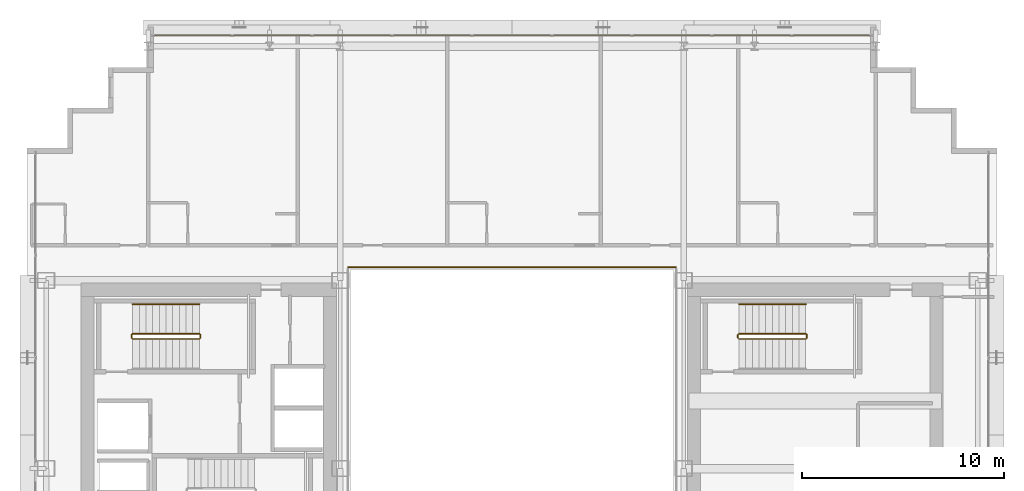
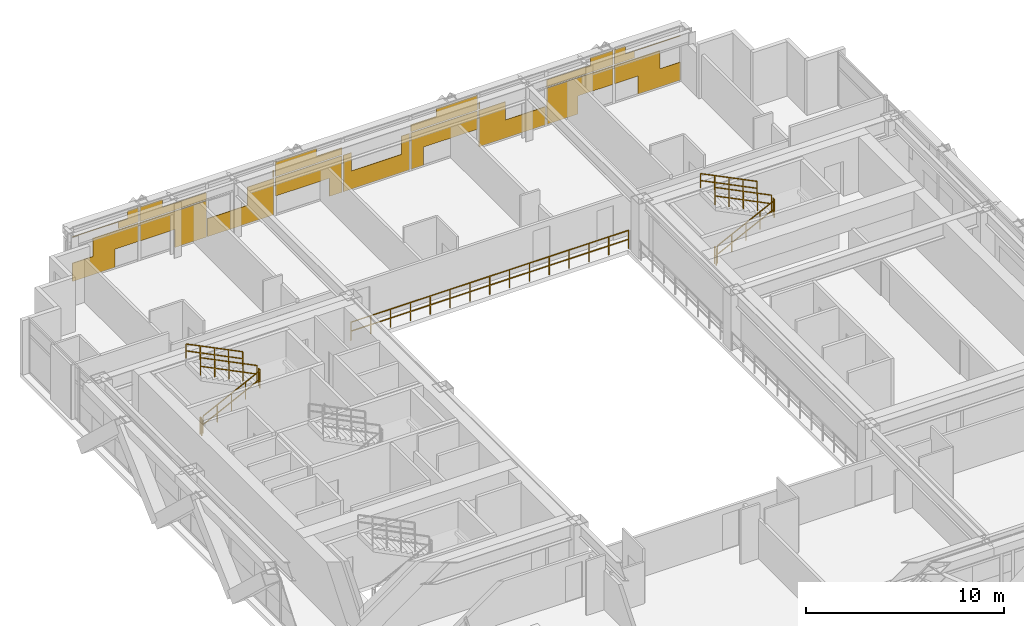
# One storey, part 34 of 34: 11 railings, 1 covering.
"""IFC4 building model written with IfcOpenShell, lengths in metres."""

from ifc_helpers import new_model, si_unit, direction, frame, origin, origin_2d, place, context, subcontext, project, spatial, rectangle, extrude, material, layer, layer_set, type_object, element, save


model = new_model("IFC4")

# Units and contexts
model_context = context("Model", 3, precision=1e-05, world=origin(), true_north=direction((0.0, 1.0)))
body_context = subcontext(model_context, "Body", "Model", "MODEL_VIEW")
ifc_project = project(units=[si_unit("LENGTHUNIT", "METRE"), si_unit("AREAUNIT", "SQUARE_METRE"), si_unit("VOLUMEUNIT", "CUBIC_METRE"), si_unit("PLANEANGLEUNIT", "RADIAN"), si_unit("MASSUNIT", "GRAM", prefix="KILO")], contexts=[model_context])

# Site, building, storey
site_placement = place(None, origin())
site = spatial("IfcSite", under=ifc_project, at=site_placement, CompositionType="ELEMENT")
building_placement = place(site_placement, origin())
building = spatial("IfcBuilding", under=site, at=building_placement, Name="Ocotamira Hotel", CompositionType="ELEMENT")
storey_placement = place(building_placement, frame((0.0, 0.0, 111.60009765625)))
storey = spatial("IfcBuildingStorey", under=building, at=storey_placement, Name="L27", CompositionType="ELEMENT", Elevation=111.60009765625)

# Covering
ifc_material_1 = material(Name="Insulated pale-metal aluminium spandrel panel", Category="aluminium")
ifc_layer = layer(ifc_material_1, 0.044921875)
ifc_layer_set = layer_set([ifc_layer], Name="Insulated pale-metal aluminium spandrel panel")
covering_type = type_object("IfcCoveringType", Name="COV-INFILL-45", PredefinedType="CLADDING", material=ifc_layer_set)
covering_placement = place(storey_placement, origin())
element("IfcCovering", 1, at=covering_placement, inside=storey, type_object=covering_type, Name="L27 Curtain Wall Infill CW-3 CW-L27-N", PredefinedType="CLADDING", context=body_context, shape_type="SweptSolid", body=[
    extrude(rectangle(XDim=2.464111328125, YDim=0.044921875, at=origin_2d()), frame((15.512451171875, 49.580078125, 0.0751953125), z_axis=(0.0, 0.0, 1.0), x_axis=(1.0, 0.0, 0.0)), (0.0, 0.0, 1.0), 1.117919921875),
    extrude(rectangle(XDim=2.650146484375, YDim=0.044921875, at=origin_2d()), frame((16.7900390625, 49.580078125, 1.194091796875), z_axis=(0.0, 0.0, 1.0), x_axis=(1.0, 0.0, 0.0)), (0.0, 0.0, 1.0), 1.11767578125),
    extrude(rectangle(XDim=3.834716796875, YDim=0.044921875, at=origin_2d()), frame((16.19775390625, 49.580078125, 2.782470703125), z_axis=(0.0, 0.0, 1.0), x_axis=(1.0, 0.0, 0.0)), (0.0, 0.0, 1.0), 0.0302734375),
    extrude(rectangle(XDim=1.157958984375, YDim=0.044921875, at=origin_2d()), frame((17.5361328125, 49.580078125, 2.387939453125), z_axis=(0.0, 0.0, 1.0), x_axis=(1.0, 0.0, 0.0)), (0.0, 0.0, 1.0), 0.3935546875),
    extrude(rectangle(XDim=0.625732421875, YDim=0.044921875, at=origin_2d()), frame((17.80224609375, 49.580078125, 2.813720703125), z_axis=(0.0, 0.0, 1.0), x_axis=(1.0, 0.0, 0.0)), (0.0, 0.0, 1.0), 0.470703125),
    extrude(rectangle(XDim=3.87451171875, YDim=0.044921875, at=origin_2d()), frame((20.13330078125, 49.580078125, 1.194091796875), z_axis=(0.0, 0.0, 1.0), x_axis=(1.0, 0.0, 0.0)), (0.0, 0.0, 1.0), 1.11767578125),
    extrude(rectangle(XDim=1.815185546875, YDim=0.044921875, at=origin_2d()), frame((21.1630859375, 49.580078125, 0.0751953125), z_axis=(0.0, 0.0, 1.0), x_axis=(1.0, 0.0, 0.0)), (0.0, 0.0, 1.0), 1.117919921875),
    extrude(rectangle(XDim=3.87451171875, YDim=0.044921875, at=origin_2d()), frame((20.13330078125, 49.580078125, 2.387939453125), z_axis=(0.0, 0.0, 1.0), x_axis=(1.0, 0.0, 0.0)), (0.0, 0.0, 1.0), 0.4248046875),
    extrude(rectangle(XDim=1.314697265625, YDim=0.044921875, at=origin_2d()), frame((18.853515625, 49.580078125, 2.813720703125), z_axis=(0.0, 0.0, 1.0), x_axis=(1.0, 0.0, 0.0)), (0.0, 0.0, 1.0), 0.470703125),
    extrude(rectangle(XDim=3.87451171875, YDim=0.044921875, at=origin_2d()), frame((24.0888671875, 49.580078125, 0.0751953125), z_axis=(0.0, 0.0, 1.0), x_axis=(1.0, 0.0, 0.0)), (0.0, 0.0, 1.0), 1.117919921875),
    extrude(rectangle(XDim=1.561279296875, YDim=0.044921875, at=origin_2d()), frame((25.24560546875, 49.580078125, 1.194091796875), z_axis=(0.0, 0.0, 1.0), x_axis=(1.0, 0.0, 0.0)), (0.0, 0.0, 1.0), 1.11767578125),
    extrude(rectangle(XDim=0.069091796875, YDim=0.044921875, at=origin_2d()), frame((25.99169921875, 49.580078125, 2.387939453125), z_axis=(0.0, 0.0, 1.0), x_axis=(1.0, 0.0, 0.0)), (0.0, 0.0, 1.0), 0.4248046875),
    extrude(rectangle(XDim=3.87451171875, YDim=0.044921875, at=origin_2d()), frame((28.04443359375, 49.580078125, 1.194091796875), z_axis=(0.0, 0.0, 1.0), x_axis=(1.0, 0.0, 0.0)), (0.0, 0.0, 1.0), 1.11767578125),
    extrude(rectangle(XDim=0.726318359375, YDim=0.044921875, at=origin_2d()), frame((29.61865234375, 49.580078125, 0.0751953125), z_axis=(0.0, 0.0, 1.0), x_axis=(1.0, 0.0, 0.0)), (0.0, 0.0, 1.0), 1.117919921875),
    extrude(rectangle(XDim=3.87451171875, YDim=0.044921875, at=origin_2d()), frame((28.04443359375, 49.580078125, 2.387939453125), z_axis=(0.0, 0.0, 1.0), x_axis=(1.0, 0.0, 0.0)), (0.0, 0.0, 1.0), 0.4248046875),
    extrude(rectangle(XDim=2.403564453125, YDim=0.044921875, at=origin_2d()), frame((27.308837890625, 49.580078125, 2.813720703125), z_axis=(0.0, 0.0, 1.0), x_axis=(1.0, 0.0, 0.0)), (0.0, 0.0, 1.0), 0.470703125),
    extrude(rectangle(XDim=3.87451171875, YDim=0.044921875, at=origin_2d()), frame((32.0, 49.580078125, 0.0751953125), z_axis=(0.0, 0.0, 1.0), x_axis=(1.0, 0.0, 0.0)), (0.0, 0.0, 1.0), 1.117919921875),
    extrude(rectangle(XDim=0.472412109375, YDim=0.044921875, at=origin_2d()), frame((30.298828125, 49.580078125, 1.194091796875), z_axis=(0.0, 0.0, 1.0), x_axis=(1.0, 0.0, 0.0)), (0.0, 0.0, 1.0), 1.11767578125),
    extrude(rectangle(XDim=0.472412109375, YDim=0.044921875, at=origin_2d()), frame((33.701171875, 49.580078125, 1.194091796875), z_axis=(0.0, 0.0, 1.0), x_axis=(1.0, 0.0, 0.0)), (0.0, 0.0, 1.0), 1.11767578125),
    extrude(rectangle(XDim=0.726318359375, YDim=0.044921875, at=origin_2d()), frame((34.38134765625, 49.580078125, 0.0751953125), z_axis=(0.0, 0.0, 1.0), x_axis=(1.0, 0.0, 0.0)), (0.0, 0.0, 1.0), 1.117919921875),
    extrude(rectangle(XDim=3.87451171875, YDim=0.044921875, at=origin_2d()), frame((35.95556640625, 49.580078125, 1.194091796875), z_axis=(0.0, 0.0, 1.0), x_axis=(1.0, 0.0, 0.0)), (0.0, 0.0, 1.0), 1.11767578125),
    extrude(rectangle(XDim=3.87451171875, YDim=0.044921875, at=origin_2d()), frame((35.95556640625, 49.580078125, 2.387939453125), z_axis=(0.0, 0.0, 1.0), x_axis=(1.0, 0.0, 0.0)), (0.0, 0.0, 1.0), 0.4248046875),
    extrude(rectangle(XDim=2.403564453125, YDim=0.044921875, at=origin_2d()), frame((36.691162109375, 49.580078125, 2.813720703125), z_axis=(0.0, 0.0, 1.0), x_axis=(1.0, 0.0, 0.0)), (0.0, 0.0, 1.0), 0.470703125),
    extrude(rectangle(XDim=3.87451171875, YDim=0.044921875, at=origin_2d()), frame((39.9111328125, 49.580078125, 0.0751953125), z_axis=(0.0, 0.0, 1.0), x_axis=(1.0, 0.0, 0.0)), (0.0, 0.0, 1.0), 1.117919921875),
    extrude(rectangle(XDim=1.561279296875, YDim=0.044921875, at=origin_2d()), frame((38.75439453125, 49.580078125, 1.194091796875), z_axis=(0.0, 0.0, 1.0), x_axis=(1.0, 0.0, 0.0)), (0.0, 0.0, 1.0), 1.11767578125),
    extrude(rectangle(XDim=0.069091796875, YDim=0.044921875, at=origin_2d()), frame((38.00830078125, 49.580078125, 2.387939453125), z_axis=(0.0, 0.0, 1.0), x_axis=(1.0, 0.0, 0.0)), (0.0, 0.0, 1.0), 0.4248046875),
    extrude(rectangle(XDim=1.815185546875, YDim=0.044921875, at=origin_2d()), frame((42.8369140625, 49.580078125, 0.0751953125), z_axis=(0.0, 0.0, 1.0), x_axis=(1.0, 0.0, 0.0)), (0.0, 0.0, 1.0), 1.117919921875),
    extrude(rectangle(XDim=3.87451171875, YDim=0.044921875, at=origin_2d()), frame((43.86669921875, 49.580078125, 1.194091796875), z_axis=(0.0, 0.0, 1.0), x_axis=(1.0, 0.0, 0.0)), (0.0, 0.0, 1.0), 1.11767578125),
    extrude(rectangle(XDim=3.87451171875, YDim=0.044921875, at=origin_2d()), frame((43.86669921875, 49.580078125, 2.387939453125), z_axis=(0.0, 0.0, 1.0), x_axis=(1.0, 0.0, 0.0)), (0.0, 0.0, 1.0), 0.4248046875),
    extrude(rectangle(XDim=1.314697265625, YDim=0.044921875, at=origin_2d()), frame((45.146484375, 49.580078125, 2.813720703125), z_axis=(0.0, 0.0, 1.0), x_axis=(1.0, 0.0, 0.0)), (0.0, 0.0, 1.0), 0.470703125),
    extrude(rectangle(XDim=2.650146484375, YDim=0.044921875, at=origin_2d()), frame((47.2099609375, 49.580078125, 1.194091796875), z_axis=(0.0, 0.0, 1.0), x_axis=(1.0, 0.0, 0.0)), (0.0, 0.0, 1.0), 1.11767578125),
    extrude(rectangle(XDim=2.464111328125, YDim=0.044921875, at=origin_2d()), frame((48.487548828125, 49.580078125, 0.0751953125), z_axis=(0.0, 0.0, 1.0), x_axis=(1.0, 0.0, 0.0)), (0.0, 0.0, 1.0), 1.117919921875),
    extrude(rectangle(XDim=1.157958984375, YDim=0.044921875, at=origin_2d()), frame((46.4638671875, 49.580078125, 2.387939453125), z_axis=(0.0, 0.0, 1.0), x_axis=(1.0, 0.0, 0.0)), (0.0, 0.0, 1.0), 0.3935546875),
    extrude(rectangle(XDim=3.834716796875, YDim=0.044921875, at=origin_2d()), frame((47.80224609375, 49.580078125, 2.782470703125), z_axis=(0.0, 0.0, 1.0), x_axis=(1.0, 0.0, 0.0)), (0.0, 0.0, 1.0), 0.0302734375),
    extrude(rectangle(XDim=0.625732421875, YDim=0.044921875, at=origin_2d()), frame((46.19775390625, 49.580078125, 2.813720703125), z_axis=(0.0, 0.0, 1.0), x_axis=(1.0, 0.0, 0.0)), (0.0, 0.0, 1.0), 0.470703125),
])

# Railings
ifc_material_2 = material(Name="Painted steel stair guardrail", Category="steel")
railing_type_1 = type_object("IfcRailingType", Name="RL-EDGE-1150", PredefinedType="GUARDRAIL", material=ifc_material_2)
railing_1_placement = place(storey_placement, frame((40.10009765625, 38.1201171875, 0.0)))
element("IfcRailing", 2, at=railing_1_placement, inside=storey, type_object=railing_type_1, Name="L27 Central Atrium Edge Guardrail N", PredefinedType="GUARDRAIL", context=body_context, shape_type="SweptSolid", body=[
    extrude(rectangle(XDim=0.048095703125, YDim=0.048095703125, at=origin_2d()), frame((0.0, 0.0, 1.1259765625), z_axis=(-1.0, 0.0, 0.0), x_axis=(0.0, -1.0, 0.0)), (0.0, 0.0, 1.0), 16.2001953125),
    extrude(rectangle(XDim=0.048095703125, YDim=0.048095703125, at=origin_2d()), frame((0.0, 0.0, 0.574951171875), z_axis=(-1.0, 0.0, 0.0), x_axis=(0.0, -1.0, 0.0)), (0.0, 0.0, 1.0), 16.2001953125),
    extrude(rectangle(XDim=0.0419921875, YDim=0.0419921875, at=origin_2d()), origin(), (0.0, 0.0, 1.0), 1.101806640625),
    extrude(rectangle(XDim=0.0419921875, YDim=0.0419921875, at=origin_2d()), frame((-1.1572265625, 0.0, 0.0)), (0.0, 0.0, 1.0), 1.101806640625),
    extrude(rectangle(XDim=0.0419921875, YDim=0.0419921875, at=origin_2d()), frame((-2.314208984375, 0.0, 0.0)), (0.0, 0.0, 1.0), 1.101806640625),
    extrude(rectangle(XDim=0.0419921875, YDim=0.0419921875, at=origin_2d()), frame((-3.471435546875, 0.0, 0.0)), (0.0, 0.0, 1.0), 1.101806640625),
    extrude(rectangle(XDim=0.0419921875, YDim=0.0419921875, at=origin_2d()), frame((-4.628662109375, 0.0, 0.0)), (0.0, 0.0, 1.0), 1.101806640625),
    extrude(rectangle(XDim=0.0419921875, YDim=0.0419921875, at=origin_2d()), frame((-5.785888671875, 0.0, 0.0)), (0.0, 0.0, 1.0), 1.101806640625),
    extrude(rectangle(XDim=0.0419921875, YDim=0.0419921875, at=origin_2d()), frame((-6.94287109375, 0.0, 0.0)), (0.0, 0.0, 1.0), 1.101806640625),
    extrude(rectangle(XDim=0.0419921875, YDim=0.0419921875, at=origin_2d()), frame((-8.10009765625, 0.0, 0.0)), (0.0, 0.0, 1.0), 1.101806640625),
    extrude(rectangle(XDim=0.0419921875, YDim=0.0419921875, at=origin_2d()), frame((-9.25732421875, 0.0, 0.0)), (0.0, 0.0, 1.0), 1.101806640625),
    extrude(rectangle(XDim=0.0419921875, YDim=0.0419921875, at=origin_2d()), frame((-10.414306640625, 0.0, 0.0)), (0.0, 0.0, 1.0), 1.101806640625),
    extrude(rectangle(XDim=0.0419921875, YDim=0.0419921875, at=origin_2d()), frame((-11.571533203125, 0.0, 0.0)), (0.0, 0.0, 1.0), 1.101806640625),
    extrude(rectangle(XDim=0.0419921875, YDim=0.0419921875, at=origin_2d()), frame((-12.728759765625, 0.0, 0.0)), (0.0, 0.0, 1.0), 1.101806640625),
    extrude(rectangle(XDim=0.0419921875, YDim=0.0419921875, at=origin_2d()), frame((-13.885986328125, 0.0, 0.0)), (0.0, 0.0, 1.0), 1.101806640625),
    extrude(rectangle(XDim=0.0419921875, YDim=0.0419921875, at=origin_2d()), frame((-15.04296875, 0.0, 0.0)), (0.0, 0.0, 1.0), 1.101806640625),
    extrude(rectangle(XDim=0.0419921875, YDim=0.0419921875, at=origin_2d()), frame((-16.2001953125, 0.0, 0.0)), (0.0, 0.0, 1.0), 1.101806640625),
])
ifc_material_3 = material(Name="Brushed stainless steel handrail", Category="steel")
railing_type_2 = type_object("IfcRailingType", Name="RL-HAND-900", PredefinedType="HANDRAIL", material=ifc_material_3)
for number, where, name in (
    (3, (16.530029296875, 36.280029296875, 2.127197265625), "L27 ST-2 stair handrail 2"),
    (4, (46.530029296875, 36.280029296875, 2.127197265625), "L27 ST-4 stair handrail 2"),
):
    element("IfcRailing", number, at=place(storey_placement, frame(where)), inside=storey, type_object=railing_type_2, Name=name, PredefinedType="HANDRAIL", context=body_context, shape_type="SweptSolid", body=[
        extrude(rectangle(XDim=0.048095703125, YDim=0.048095703125, at=origin_2d()), frame((0.0, 0.0, 0.8759765625), z_axis=(-0.895920123917, 0.0, 0.444215186098), x_axis=(0.0, -1.0, 0.0)), (0.0, 0.0, 1.0), 3.683349609375),
        extrude(rectangle(XDim=0.048095703125, YDim=0.048095703125, at=origin_2d()), frame((0.0, 0.0, 0.449951171875), z_axis=(-0.895920123917, 0.0, 0.444215186098), x_axis=(0.0, -1.0, 0.0)), (0.0, 0.0, 1.0), 3.683349609375),
        extrude(rectangle(XDim=0.0419921875, YDim=0.0419921875, at=origin_2d()), origin(), (0.0, 0.0, 1.0), 0.851806640625),
        extrude(rectangle(XDim=0.0419921875, YDim=0.0419921875, at=origin_2d()), frame((-0.824951171875, 0.0, 0.4091796875)), (0.0, 0.0, 1.0), 0.851806640625),
        extrude(rectangle(XDim=0.0419921875, YDim=0.0419921875, at=origin_2d()), frame((-1.64990234375, 0.0, 0.818115234375)), (0.0, 0.0, 1.0), 0.851806640625),
        extrude(rectangle(XDim=0.0419921875, YDim=0.0419921875, at=origin_2d()), frame((-2.47509765625, 0.0, 1.22705078125)), (0.0, 0.0, 1.0), 0.851806640625),
        extrude(rectangle(XDim=0.0419921875, YDim=0.0419921875, at=origin_2d()), frame((-3.300048828125, 0.0, 1.63623046875)), (0.0, 0.0, 1.0), 0.851806640625),
    ])
railing_type_3 = type_object("IfcRailingType", Name="RL-STAIR-1100", PredefinedType="GUARDRAIL", material=ifc_material_2)
railing_2_placement = place(storey_placement, frame((13.22998046875, 34.56005859375, 0.16357421875)))
element("IfcRailing", 5, at=railing_2_placement, inside=storey, type_object=railing_type_3, Name="L27 ST-2 stair guard 1", PredefinedType="GUARDRAIL", context=body_context, shape_type="SweptSolid", body=[
    extrude(rectangle(XDim=0.048095703125, YDim=0.048095703125, at=origin_2d()), frame((0.0, 0.0, 1.076171875), z_axis=(0.895920123917, 0.0, 0.444215186098), x_axis=(0.0, 1.0, 0.0)), (0.0, 0.0, 1.0), 3.683349609375),
    extrude(rectangle(XDim=0.048095703125, YDim=0.048095703125, at=origin_2d()), frame((0.0, 0.0, 0.550048828125), z_axis=(0.895920123917, 0.0, 0.444215186098), x_axis=(0.0, 1.0, 0.0)), (0.0, 0.0, 1.0), 3.683349609375),
    extrude(rectangle(XDim=0.0419921875, YDim=0.0419921875, at=origin_2d()), origin(), (0.0, 0.0, 1.0), 1.052001953125),
    extrude(rectangle(XDim=0.0419921875, YDim=0.0419921875, at=origin_2d()), frame((0.824951171875, 0.0, 0.4091796875)), (0.0, 0.0, 1.0), 1.052001953125),
    extrude(rectangle(XDim=0.0419921875, YDim=0.0419921875, at=origin_2d()), frame((1.64990234375, 0.0, 0.818115234375)), (0.0, 0.0, 1.0), 1.052001953125),
    extrude(rectangle(XDim=0.0419921875, YDim=0.0419921875, at=origin_2d()), frame((2.47509765625, 0.0, 1.22705078125)), (0.0, 0.0, 1.0), 1.052001953125),
    extrude(rectangle(XDim=0.0419921875, YDim=0.0419921875, at=origin_2d()), frame((3.300048828125, 0.0, 1.63623046875)), (0.0, 0.0, 1.0), 1.052001953125),
])
railing_3_placement = place(storey_placement, frame((16.580078125, 34.610107421875, 1.7998046875)))
element("IfcRailing", 6, at=railing_3_placement, inside=storey, type_object=railing_type_3, Name="L27 ST-2 stair guard 2", PredefinedType="GUARDRAIL", context=body_context, shape_type="SweptSolid", body=[
    extrude(rectangle(XDim=0.048095703125, YDim=0.048095703125, at=origin_2d()), frame((0.0, 0.0, 1.076171875), z_axis=(0.0, 1.0, 0.0), x_axis=(-1.0, 0.0, 0.0)), (0.0, 0.0, 1.0), 0.159912109375),
    extrude(rectangle(XDim=0.048095703125, YDim=0.048095703125, at=origin_2d()), frame((0.0, 0.0, 0.550048828125), z_axis=(0.0, 1.0, 0.0), x_axis=(-1.0, 0.0, 0.0)), (0.0, 0.0, 1.0), 0.159912109375),
    extrude(rectangle(XDim=0.0419921875, YDim=0.0419921875, at=origin_2d()), origin(), (0.0, 0.0, 1.0), 1.052001953125),
    extrude(rectangle(XDim=0.0419921875, YDim=0.0419921875, at=origin_2d()), frame((0.0, 0.159912109375, 0.0)), (0.0, 0.0, 1.0), 1.052001953125),
])
railing_4_placement = place(storey_placement, frame((16.530029296875, 34.820068359375, 1.963623046875)))
element("IfcRailing", 7, at=railing_4_placement, inside=storey, type_object=railing_type_3, Name="L27 ST-2 stair guard 3", PredefinedType="GUARDRAIL", context=body_context, shape_type="SweptSolid", body=[
    extrude(rectangle(XDim=0.048095703125, YDim=0.048095703125, at=origin_2d()), frame((0.0, 0.0, 1.076171875), z_axis=(-0.895920123917, 0.0, 0.444215186098), x_axis=(0.0, -1.0, 0.0)), (0.0, 0.0, 1.0), 3.683349609375),
    extrude(rectangle(XDim=0.048095703125, YDim=0.048095703125, at=origin_2d()), frame((0.0, 0.0, 0.550048828125), z_axis=(-0.895920123917, 0.0, 0.444215186098), x_axis=(0.0, -1.0, 0.0)), (0.0, 0.0, 1.0), 3.683349609375),
    extrude(rectangle(XDim=0.0419921875, YDim=0.0419921875, at=origin_2d()), origin(), (0.0, 0.0, 1.0), 1.052001953125),
    extrude(rectangle(XDim=0.0419921875, YDim=0.0419921875, at=origin_2d()), frame((-0.824951171875, 0.0, 0.4091796875)), (0.0, 0.0, 1.0), 1.052001953125),
    extrude(rectangle(XDim=0.0419921875, YDim=0.0419921875, at=origin_2d()), frame((-1.64990234375, 0.0, 0.818115234375)), (0.0, 0.0, 1.0), 1.052001953125),
    extrude(rectangle(XDim=0.0419921875, YDim=0.0419921875, at=origin_2d()), frame((-2.47509765625, 0.0, 1.22705078125)), (0.0, 0.0, 1.0), 1.052001953125),
    extrude(rectangle(XDim=0.0419921875, YDim=0.0419921875, at=origin_2d()), frame((-3.300048828125, 0.0, 1.63623046875)), (0.0, 0.0, 1.0), 1.052001953125),
])
railing_5_placement = place(storey_placement, frame((13.179931640625, 34.610107421875, 0.0)))
element("IfcRailing", 8, at=railing_5_placement, inside=storey, type_object=railing_type_3, Name="L27 ST-2 stair guard 4", PredefinedType="GUARDRAIL", context=body_context, shape_type="SweptSolid", body=[
    extrude(rectangle(XDim=0.048095703125, YDim=0.048095703125, at=origin_2d()), frame((0.0, 0.0, 1.076171875), z_axis=(0.0, 1.0, 0.0), x_axis=(-1.0, 0.0, 0.0)), (0.0, 0.0, 1.0), 0.159912109375),
    extrude(rectangle(XDim=0.048095703125, YDim=0.048095703125, at=origin_2d()), frame((0.0, 0.0, 0.550048828125), z_axis=(0.0, 1.0, 0.0), x_axis=(-1.0, 0.0, 0.0)), (0.0, 0.0, 1.0), 0.159912109375),
    extrude(rectangle(XDim=0.0419921875, YDim=0.0419921875, at=origin_2d()), origin(), (0.0, 0.0, 1.0), 1.052001953125),
    extrude(rectangle(XDim=0.0419921875, YDim=0.0419921875, at=origin_2d()), frame((0.0, 0.159912109375, 0.0)), (0.0, 0.0, 1.0), 1.052001953125),
])
railing_6_placement = place(storey_placement, frame((43.22998046875, 34.56005859375, 0.16357421875)))
element("IfcRailing", 9, at=railing_6_placement, inside=storey, type_object=railing_type_3, Name="L27 ST-4 stair guard 1", PredefinedType="GUARDRAIL", context=body_context, shape_type="SweptSolid", body=[
    extrude(rectangle(XDim=0.048095703125, YDim=0.048095703125, at=origin_2d()), frame((0.0, 0.0, 1.076171875), z_axis=(0.895920123917, 0.0, 0.444215186098), x_axis=(0.0, 1.0, 0.0)), (0.0, 0.0, 1.0), 3.683349609375),
    extrude(rectangle(XDim=0.048095703125, YDim=0.048095703125, at=origin_2d()), frame((0.0, 0.0, 0.550048828125), z_axis=(0.895920123917, 0.0, 0.444215186098), x_axis=(0.0, 1.0, 0.0)), (0.0, 0.0, 1.0), 3.683349609375),
    extrude(rectangle(XDim=0.0419921875, YDim=0.0419921875, at=origin_2d()), origin(), (0.0, 0.0, 1.0), 1.052001953125),
    extrude(rectangle(XDim=0.0419921875, YDim=0.0419921875, at=origin_2d()), frame((0.824951171875, 0.0, 0.4091796875)), (0.0, 0.0, 1.0), 1.052001953125),
    extrude(rectangle(XDim=0.0419921875, YDim=0.0419921875, at=origin_2d()), frame((1.64990234375, 0.0, 0.818115234375)), (0.0, 0.0, 1.0), 1.052001953125),
    extrude(rectangle(XDim=0.0419921875, YDim=0.0419921875, at=origin_2d()), frame((2.47509765625, 0.0, 1.22705078125)), (0.0, 0.0, 1.0), 1.052001953125),
    extrude(rectangle(XDim=0.0419921875, YDim=0.0419921875, at=origin_2d()), frame((3.300048828125, 0.0, 1.63623046875)), (0.0, 0.0, 1.0), 1.052001953125),
])
railing_7_placement = place(storey_placement, frame((46.580078125, 34.610107421875, 1.7998046875)))
element("IfcRailing", 10, at=railing_7_placement, inside=storey, type_object=railing_type_3, Name="L27 ST-4 stair guard 2", PredefinedType="GUARDRAIL", context=body_context, shape_type="SweptSolid", body=[
    extrude(rectangle(XDim=0.048095703125, YDim=0.048095703125, at=origin_2d()), frame((0.0, 0.0, 1.076171875), z_axis=(0.0, 1.0, 0.0), x_axis=(-1.0, 0.0, 0.0)), (0.0, 0.0, 1.0), 0.159912109375),
    extrude(rectangle(XDim=0.048095703125, YDim=0.048095703125, at=origin_2d()), frame((0.0, 0.0, 0.550048828125), z_axis=(0.0, 1.0, 0.0), x_axis=(-1.0, 0.0, 0.0)), (0.0, 0.0, 1.0), 0.159912109375),
    extrude(rectangle(XDim=0.0419921875, YDim=0.0419921875, at=origin_2d()), origin(), (0.0, 0.0, 1.0), 1.052001953125),
    extrude(rectangle(XDim=0.0419921875, YDim=0.0419921875, at=origin_2d()), frame((0.0, 0.159912109375, 0.0)), (0.0, 0.0, 1.0), 1.052001953125),
])
railing_8_placement = place(storey_placement, frame((46.530029296875, 34.820068359375, 1.963623046875)))
element("IfcRailing", 11, at=railing_8_placement, inside=storey, type_object=railing_type_3, Name="L27 ST-4 stair guard 3", PredefinedType="GUARDRAIL", context=body_context, shape_type="SweptSolid", body=[
    extrude(rectangle(XDim=0.048095703125, YDim=0.048095703125, at=origin_2d()), frame((0.0, 0.0, 1.076171875), z_axis=(-0.895920123917, 0.0, 0.444215186098), x_axis=(0.0, -1.0, 0.0)), (0.0, 0.0, 1.0), 3.683349609375),
    extrude(rectangle(XDim=0.048095703125, YDim=0.048095703125, at=origin_2d()), frame((0.0, 0.0, 0.550048828125), z_axis=(-0.895920123917, 0.0, 0.444215186098), x_axis=(0.0, -1.0, 0.0)), (0.0, 0.0, 1.0), 3.683349609375),
    extrude(rectangle(XDim=0.0419921875, YDim=0.0419921875, at=origin_2d()), origin(), (0.0, 0.0, 1.0), 1.052001953125),
    extrude(rectangle(XDim=0.0419921875, YDim=0.0419921875, at=origin_2d()), frame((-0.824951171875, 0.0, 0.4091796875)), (0.0, 0.0, 1.0), 1.052001953125),
    extrude(rectangle(XDim=0.0419921875, YDim=0.0419921875, at=origin_2d()), frame((-1.64990234375, 0.0, 0.818115234375)), (0.0, 0.0, 1.0), 1.052001953125),
    extrude(rectangle(XDim=0.0419921875, YDim=0.0419921875, at=origin_2d()), frame((-2.47509765625, 0.0, 1.22705078125)), (0.0, 0.0, 1.0), 1.052001953125),
    extrude(rectangle(XDim=0.0419921875, YDim=0.0419921875, at=origin_2d()), frame((-3.300048828125, 0.0, 1.63623046875)), (0.0, 0.0, 1.0), 1.052001953125),
])
railing_9_placement = place(storey_placement, frame((43.179931640625, 34.610107421875, 0.0)))
element("IfcRailing", 12, at=railing_9_placement, inside=storey, type_object=railing_type_3, Name="L27 ST-4 stair guard 4", PredefinedType="GUARDRAIL", context=body_context, shape_type="SweptSolid", body=[
    extrude(rectangle(XDim=0.048095703125, YDim=0.048095703125, at=origin_2d()), frame((0.0, 0.0, 1.076171875), z_axis=(0.0, 1.0, 0.0), x_axis=(-1.0, 0.0, 0.0)), (0.0, 0.0, 1.0), 0.159912109375),
    extrude(rectangle(XDim=0.048095703125, YDim=0.048095703125, at=origin_2d()), frame((0.0, 0.0, 0.550048828125), z_axis=(0.0, 1.0, 0.0), x_axis=(-1.0, 0.0, 0.0)), (0.0, 0.0, 1.0), 0.159912109375),
    extrude(rectangle(XDim=0.0419921875, YDim=0.0419921875, at=origin_2d()), origin(), (0.0, 0.0, 1.0), 1.052001953125),
    extrude(rectangle(XDim=0.0419921875, YDim=0.0419921875, at=origin_2d()), frame((0.0, 0.159912109375, 0.0)), (0.0, 0.0, 1.0), 1.052001953125),
])

save(model, "model.ifc")
